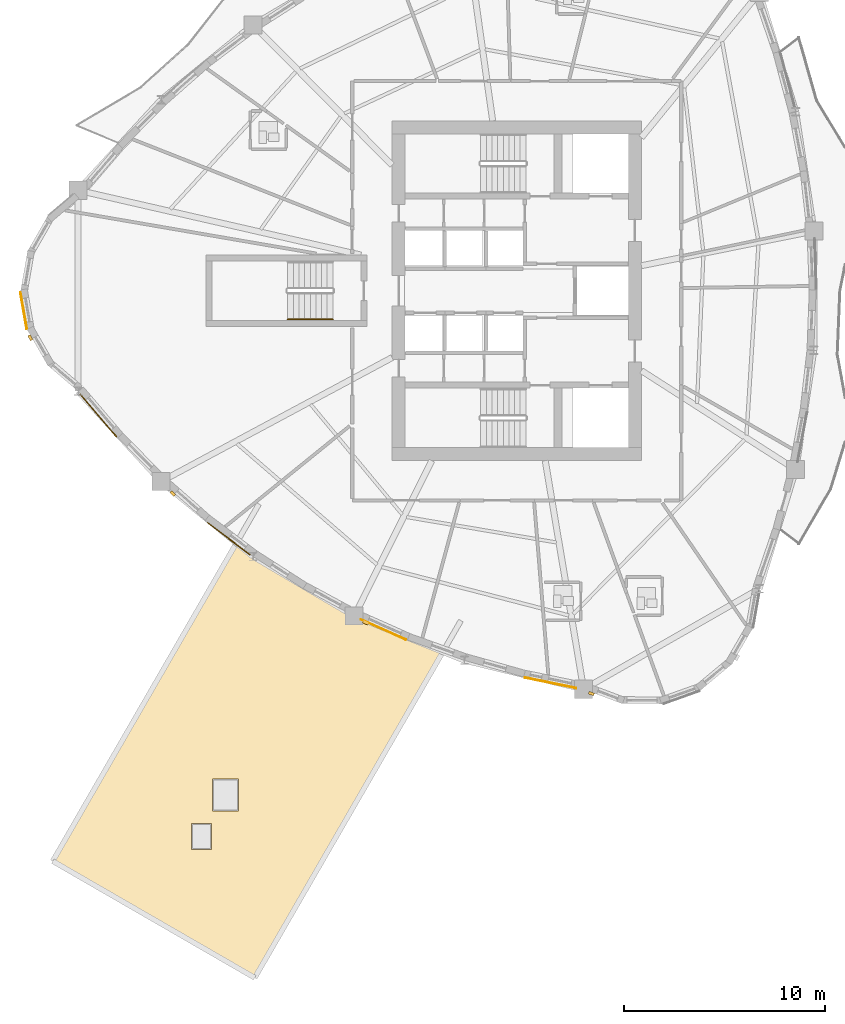
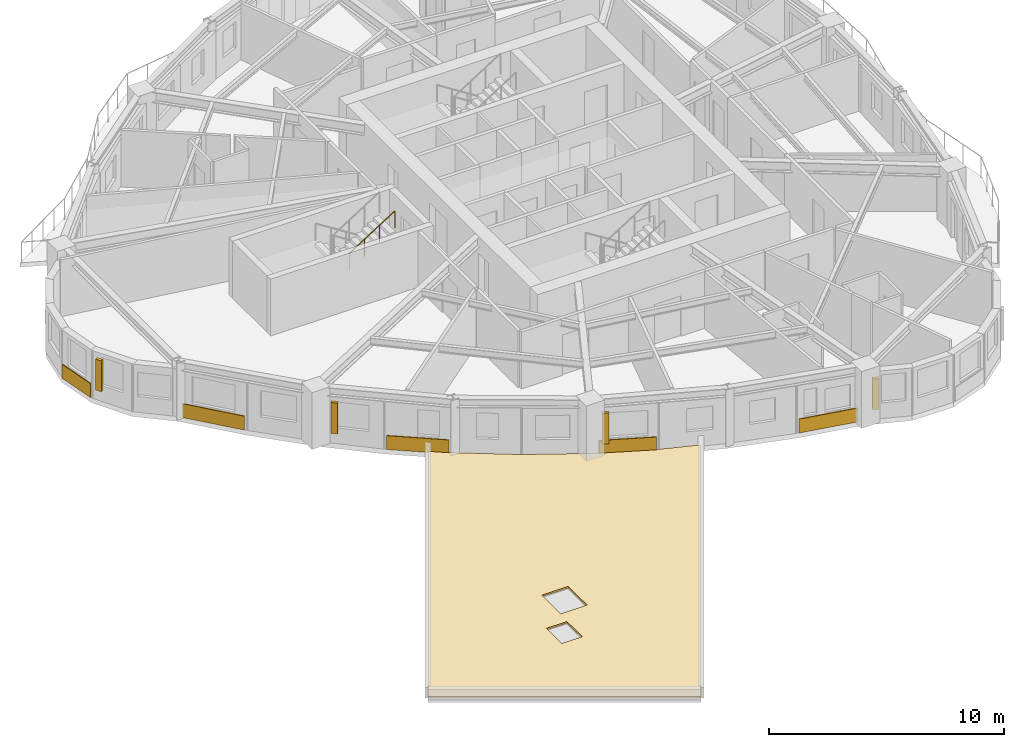
# One storey, part 10 of 14: 6 coverings, 4 shading devices, 1 railing.
"""IFC4 building model written with IfcOpenShell, lengths in metres."""

from ifc_helpers import new_model, si_unit, direction, frame, origin, origin_2d, place, context, subcontext, project, spatial, polyline, rectangle, circle, outline, extrude, source, transform, mapped, material, layer, layer_set, type_object, element, save


model = new_model("IFC4")

# Units and contexts
model_context = context("Model", 3, precision=1e-05, world=origin(), true_north=direction((0.0, 1.0)))
body_context = subcontext(model_context, "Body", "Model", "MODEL_VIEW")
ifc_project = project(units=[si_unit("LENGTHUNIT", "METRE"), si_unit("AREAUNIT", "SQUARE_METRE"), si_unit("VOLUMEUNIT", "CUBIC_METRE"), si_unit("PLANEANGLEUNIT", "RADIAN"), si_unit("MASSUNIT", "GRAM", prefix="KILO")], contexts=[model_context])

# Site, building, storey
site_placement = place(None, origin())
site = spatial("IfcSite", under=ifc_project, at=site_placement, CompositionType="ELEMENT")
building_placement = place(site_placement, origin())
building = spatial("IfcBuilding", under=site, at=building_placement, Name="Qafzar Sky-Pleat Residences", CompositionType="ELEMENT")
storey_placement = place(building_placement, frame((0.0, 0.0, 118.39990234375)))
storey = spatial("IfcBuildingStorey", under=building, at=storey_placement, Name="L35", CompositionType="ELEMENT", Elevation=118.39990234375)

# Covering
ifc_material_1 = material(Name="Inverted elastomeric waterproofing membrane and gravel ballast")
ifc_layer_1 = layer(ifc_material_1, 0.080078125)
ifc_layer_set_1 = layer_set([ifc_layer_1], Name="Inverted elastomeric waterproofing membrane and gravel ballast")
covering_type_1 = type_object("IfcCoveringType", Name="COV-ROOF-MEMB", PredefinedType="ROOFING", material=ifc_layer_set_1)
covering_1_placement = place(storey_placement, origin())
element("IfcCovering", 1, at=covering_1_placement, inside=storey, type_object=covering_type_1, Name="L35 SB-3 Roof Waterproofing Membrane", PredefinedType="ROOFING", context=body_context, shape_type="SweptSolid", body=[
    extrude(outline(polyline([(17.31787109375, -8.172607421875), (7.27197265625, -2.37255859375), (16.381103515625, 13.405029296875), (17.2265625, 12.76708984375), (17.2275390625, 12.7666015625), (19.685791015625, 11.188232421875), (19.68701171875, 11.187744140625), (22.258056640625, 9.800537109375), (22.259033203125, 9.800048828125), (24.94287109375, 8.60400390625), (24.94384765625, 8.603515625), (26.6494140625, 7.990478515625), (17.31787109375, -8.172607421875)]), holes=[polyline([(15.222412109375, 0.1240234375), (16.5224609375, 0.1240234375), (16.5224609375, 1.72412109375), (15.222412109375, 1.72412109375), (15.222412109375, 0.1240234375)]), polyline([(14.17236328125, -1.804443359375), (15.17236328125, -1.804443359375), (15.17236328125, -0.50439453125), (14.17236328125, -0.50439453125), (14.17236328125, -1.804443359375)])]), origin(), (0.0, 0.0, 1.0), 0.080078125),
])

# Shading devices
ifc_material_2 = material(Name="Honed Riyadh limestone solar fin", Category="masonry")
ifc_layer_2 = layer(ifc_material_2, 0.139892578125)
ifc_layer_set_2 = layer_set([ifc_layer_2], Name="Honed Riyadh limestone solar fin")
shading_device_type = type_object("IfcShadingDeviceType", Name="SHD-FIN-STONE", PredefinedType="SHUTTER", material=ifc_layer_set_2)
shared_shape_1 = source(origin(), body_context, "Body", "SweptSolid", [
    extrude(rectangle(XDim=0.139892578125, YDim=0.280029296875, at=origin_2d()), origin(), (0.0, 0.0, 1.0), 1.60009765625),
])
for number, where, z_axis, x_axis, name in (
    (2, (6.156982421875, 23.658935546875, 0.60009765625), (0.0, 0.0, 1.0), (-0.86830785133, -0.4960256801, 0.0), "L35 Limestone Solar Fin 5"),
    (3, (13.2412109375, 15.90966796875, 0.60009765625), (0.0, 0.0, 1.0), (-0.659785415197, -0.751454061066, 0.0), "L35 Limestone Solar Fin 9"),
    (4, (22.826171875, 9.492431640625, 0.60009765625), (0.0, 0.0, 1.0), (-0.407076106401, -0.913394243247, 0.0), "L35 Limestone Solar Fin 13"),
    (5, (34.06201171875, 5.962890625, 0.60009765625), (0.0, 0.0, 1.0), (-0.349925962996, -0.936777359046, 0.0), "L35 Limestone Solar Fin 17"),
):
    element("IfcShadingDevice", number, at=place(storey_placement, frame(where, z_axis=z_axis, x_axis=x_axis)), inside=storey, type_object=shading_device_type, Name=name, PredefinedType="SHUTTER", context=body_context, shape_type="MappedRepresentation", body=[
        mapped(shared_shape_1, transform((0.0, 0.0, 0.0), x_axis=(1.0, 0.0, 0.0), y_axis=(0.0, 1.0, 0.0), z_axis=(0.0, 0.0, 1.0), scale=1.0)),
    ])

# Coverings
ifc_material_3 = material(Name="Honed Riyadh Tuwaiq limestone cladding", Category="masonry")
ifc_layer_3 = layer(ifc_material_3, 0.044921875)
ifc_layer_set_3 = layer_set([ifc_layer_3], Name="Honed Riyadh Tuwaiq limestone cladding")
covering_type_2 = type_object("IfcCoveringType", Name="COV-CLAD-STONE", PredefinedType="CLADDING", material=ifc_layer_set_3)
shared_shape_2 = source(origin(), body_context, "Body", "SweptSolid", [
    extrude(rectangle(XDim=1.865478515625, YDim=0.044921875, at=origin_2d()), origin(), (0.0, 0.0, 1.0), 0.719970703125),
])
covering_2_placement = place(storey_placement, frame((5.82470703125, 25.0126953125, 0.02001953125), z_axis=(0.0, 0.0, 1.0), x_axis=(0.172169696941, -0.985067305038, 0.0)))
element("IfcCovering", 6, at=covering_2_placement, inside=storey, type_object=covering_type_2, Name="L35 Riyadh Limestone Spandrel Cladding 4", PredefinedType="CLADDING", context=body_context, shape_type="MappedRepresentation", body=[
    mapped(shared_shape_2, transform((0.0, 0.0, 0.0), x_axis=(1.0, 0.0, 0.0), y_axis=(0.0, 1.0, 0.0), z_axis=(0.0, 0.0, 1.0), scale=1.0)),
])
shared_shape_3 = source(origin(), body_context, "Body", "SweptSolid", [
    extrude(rectangle(XDim=2.79296875, YDim=0.044921875, at=origin_2d()), origin(), (0.0, 0.0, 1.0), 0.719970703125),
])
covering_3_placement = place(storey_placement, frame((9.53466796875, 19.796142578125, 0.02001953125), z_axis=(0.0, 0.0, 1.0), x_axis=(0.650722374464, -0.75931573892, 0.0)))
element("IfcCovering", 7, at=covering_3_placement, inside=storey, type_object=covering_type_2, Name="L35 Riyadh Limestone Spandrel Cladding 7", PredefinedType="CLADDING", context=body_context, shape_type="MappedRepresentation", body=[
    mapped(shared_shape_3, transform((0.0, 0.0, 0.0), x_axis=(1.0, 0.0, 0.0), y_axis=(0.0, 1.0, 0.0), z_axis=(0.0, 0.0, 1.0), scale=1.0)),
])
shared_shape_4 = source(origin(), body_context, "Body", "SweptSolid", [
    extrude(rectangle(XDim=2.66064453125, YDim=0.044921875, at=origin_2d()), origin(), (0.0, 0.0, 1.0), 0.719970703125),
])
covering_4_placement = place(storey_placement, frame((16.0263671875, 13.663818359375, 0.02001953125), z_axis=(0.0, 0.0, 1.0), x_axis=(0.798349004967, -0.602195040056, 0.0)))
element("IfcCovering", 8, at=covering_4_placement, inside=storey, type_object=covering_type_2, Name="L35 Riyadh Limestone Spandrel Cladding 10", PredefinedType="CLADDING", context=body_context, shape_type="MappedRepresentation", body=[
    mapped(shared_shape_4, transform((0.0, 0.0, 0.0), x_axis=(1.0, 0.0, 0.0), y_axis=(0.0, 1.0, 0.0), z_axis=(0.0, 0.0, 1.0), scale=1.0)),
])
shared_shape_5 = source(origin(), body_context, "Body", "SweptSolid", [
    extrude(rectangle(XDim=2.4716796875, YDim=0.044921875, at=origin_2d()), origin(), (0.0, 0.0, 1.0), 0.719970703125),
])
covering_5_placement = place(storey_placement, frame((23.720458984375, 9.14111328125, 0.02001953125), z_axis=(0.0, 0.0, 1.0), x_axis=(0.913398138827, -0.407067365417, 0.0)))
element("IfcCovering", 9, at=covering_5_placement, inside=storey, type_object=covering_type_2, Name="L35 Riyadh Limestone Spandrel Cladding 13", PredefinedType="CLADDING", context=body_context, shape_type="MappedRepresentation", body=[
    mapped(shared_shape_5, transform((0.0, 0.0, 0.0), x_axis=(1.0, 0.0, 0.0), y_axis=(0.0, 1.0, 0.0), z_axis=(0.0, 0.0, 1.0), scale=1.0)),
])
shared_shape_6 = source(origin(), body_context, "Body", "SweptSolid", [
    extrude(rectangle(XDim=2.60400390625, YDim=0.044921875, at=origin_2d()), origin(), (0.0, 0.0, 1.0), 0.719970703125),
])
covering_6_placement = place(storey_placement, frame((32.030029296875, 6.4931640625, 0.02001953125), z_axis=(0.0, 0.0, 1.0), x_axis=(0.979418074611, -0.201842104442, 0.0)))
element("IfcCovering", 10, at=covering_6_placement, inside=storey, type_object=covering_type_2, Name="L35 Riyadh Limestone Spandrel Cladding 16", PredefinedType="CLADDING", context=body_context, shape_type="MappedRepresentation", body=[
    mapped(shared_shape_6, transform((0.0, 0.0, 0.0), x_axis=(1.0, 0.0, 0.0), y_axis=(0.0, 1.0, 0.0), z_axis=(0.0, 0.0, 1.0), scale=1.0)),
])

# Railing
ifc_material_4 = material(Name="Brushed stainless steel handrail", Category="steel")
railing_type = type_object("IfcRailingType", Name="RAIL-STAIR-HAND", PredefinedType="HANDRAIL", material=ifc_material_4)
shared_shape_7 = source(origin(), body_context, "Body", "SweptSolid", [
    extrude(circle(Radius=0.02392578125, at=origin_2d()), frame((0.0, 0.0, 0.8759765625), z_axis=(0.84418770128, 0.0, 0.536047689118), x_axis=(0.0, 1.0, 0.0)), (0.0, 0.0, 1.0), 2.6533203125),
    extrude(circle(Radius=0.02099609375, at=origin_2d()), origin(), (0.0, 0.0, 1.0), 0.851806640625),
    extrude(circle(Radius=0.02099609375, at=origin_2d()), frame((0.74658203125, 0.0, 0.47412109375)), (0.0, 0.0, 1.0), 0.851806640625),
    extrude(circle(Radius=0.02099609375, at=origin_2d()), frame((1.493408203125, 0.0, 0.9482421875)), (0.0, 0.0, 1.0), 0.851806640625),
    extrude(circle(Radius=0.02099609375, at=origin_2d()), frame((2.239990234375, 0.0, 1.42236328125)), (0.0, 0.0, 1.0), 0.851806640625),
])
railing_placement = place(storey_placement, frame((18.9599609375, 24.574951171875, 1.77783203125)))
element("IfcRailing", 11, at=railing_placement, inside=storey, type_object=railing_type, Name="L35 ST3 stair handrail 2", PredefinedType="HANDRAIL", context=body_context, shape_type="MappedRepresentation", body=[
    mapped(shared_shape_7, transform((0.0, 0.0, 0.0), x_axis=(1.0, 0.0, 0.0), y_axis=(0.0, 1.0, 0.0), z_axis=(0.0, 0.0, 1.0), scale=1.0)),
])

save(model, "model.ifc")
